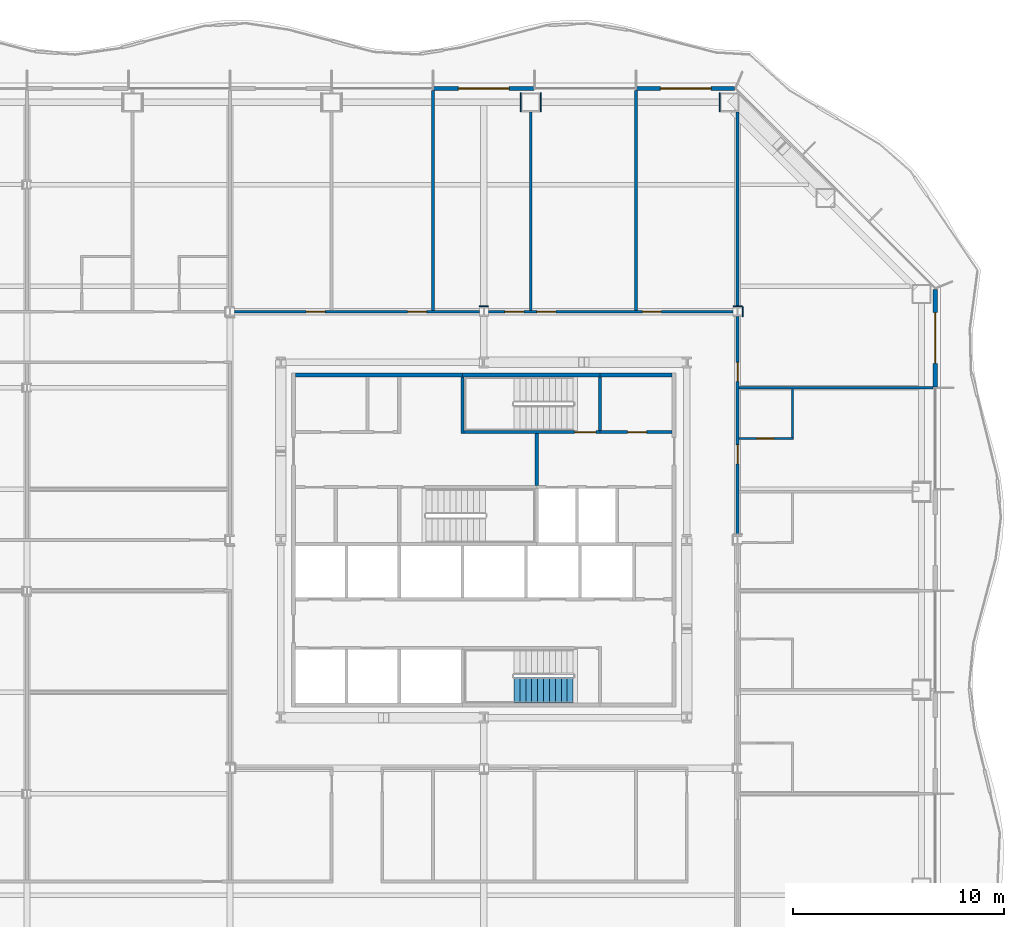
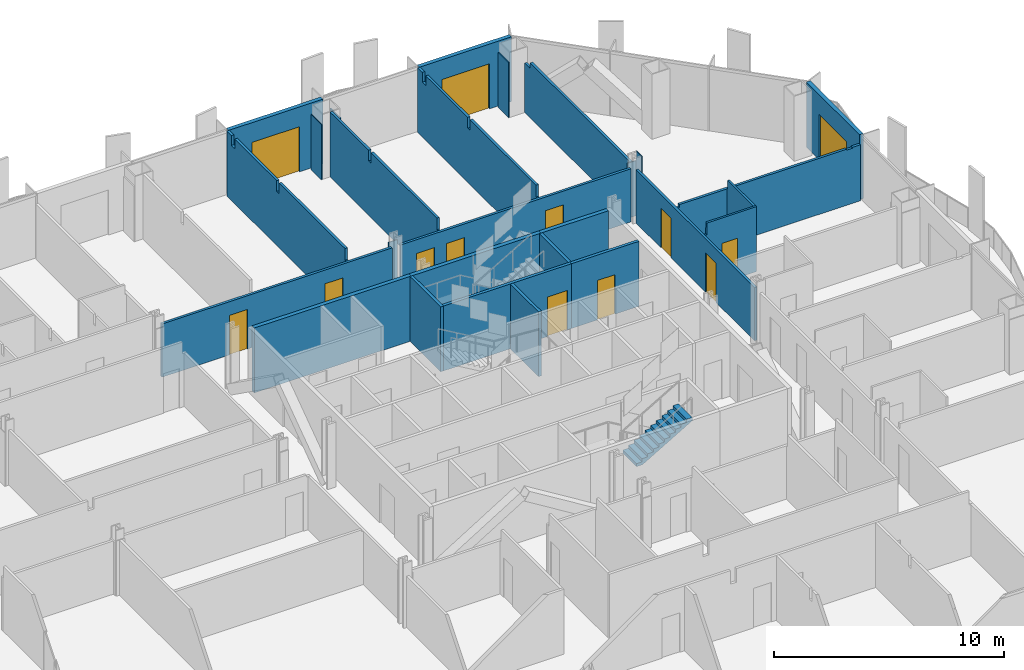
# One storey, part 13 of 21: 27 walls, 13 doors, 1 stair flight, 13 openings, 1 element without a shape of its own.
"""IFC4 building model written with IfcOpenShell, lengths in metres."""

import ifcopenshell
import ifcopenshell.guid

model = None  # the IFC model being written
_history = None  # IfcOwnerHistory: only IFC2X3 demands one
_inside = {}  # id of a spatial element -> (the spatial element, [elements in it])
_under = {}  # id of a project, library or spatial element -> (it, [spatial elements below it])
_declared = {}  # id of a project -> (the project, [libraries it declares])
_typed = {}  # id of a type object -> (the type object, [elements of that type])
_made_of = {}  # id of a material, layer set ... -> (it, [elements and type objects made of it])


def new_model(schema):
    """Start an empty IFC model of exactly this schema.

    Asked for "IFC4X3", IfcOpenShell would pick the latest addendum, in which some entities
    have other attributes; the version numbers below select the first issue.
    IFC2X3 requires an IfcOwnerHistory on every rooted entity: one is made here for all.
    """
    global model, _history
    if schema == "IFC4X3":
        model = ifcopenshell.file(schema_version=(4, 3, 0, 0))
    else:
        model = ifcopenshell.file(schema=schema)
    _inside.clear()
    _under.clear()
    _declared.clear()
    _typed.clear()
    _made_of.clear()
    _history = None
    if model.schema == "IFC2X3":
        org = make("IfcOrganization", Name="unknown")
        user = make(
            "IfcPersonAndOrganization",
            ThePerson=make("IfcPerson", FamilyName="unknown"),
            TheOrganization=org,
        )
        app = make(
            "IfcApplication",
            ApplicationDeveloper=org,
            Version="unknown",
            ApplicationFullName="unknown",
            ApplicationIdentifier="unknown",
        )
        _history = make(
            "IfcOwnerHistory",
            OwningUser=user,
            OwningApplication=app,
            ChangeAction="ADDED",
            CreationDate=0,
        )
    return model


def make(cls, **values):
    """One entity of the class cls with the attributes given. An attribute that is None is left unset."""
    return model.create_entity(
        cls, **{name: value for name, value in values.items() if value is not None}
    )


def rooted(cls, **values):
    """An entity with a GlobalId (a new one), such as an element, a storey or a relation."""
    return make(cls, GlobalId=ifcopenshell.guid.new(), OwnerHistory=_history, **values)


def si_unit(unit_type, name, prefix=None):
    """IfcSIUnit, for example si_unit("LENGTHUNIT", "METRE", prefix="MILLI")."""
    return make("IfcSIUnit", UnitType=unit_type, Prefix=prefix, Name=name)


def assignment(units):
    """IfcUnitAssignment: the units of a project."""
    return None if units is None else make("IfcUnitAssignment", Units=units)


def point(xyz):
    """IfcCartesianPoint."""
    return None if xyz is None else make("IfcCartesianPoint", Coordinates=xyz)


def direction(xyz):
    """IfcDirection."""
    return None if xyz is None else make("IfcDirection", DirectionRatios=xyz)


def frame(location, z_axis=None, x_axis=None):
    """IfcAxis2Placement3D, a coordinate frame: its origin and axes. An axis left out is left unset."""
    return make(
        "IfcAxis2Placement3D",
        Location=point(location),
        Axis=direction(z_axis),
        RefDirection=direction(x_axis),
    )


def frame_2d(location, x_axis=None):
    """IfcAxis2Placement2D, a coordinate frame in the plane: its origin and x axis."""
    return make(
        "IfcAxis2Placement2D", Location=point(location), RefDirection=direction(x_axis)
    )


def origin():
    """The frame at (0, 0, 0) with its axes left unset."""
    return frame((0.0, 0.0, 0.0))


def place(relative_to, where):
    """IfcLocalPlacement: puts the frame where relative to a parent placement (None: the world)."""
    return make(
        "IfcLocalPlacement", PlacementRelTo=relative_to, RelativePlacement=where
    )


def context(
    kind, dimensions, precision=None, world=None, true_north=None, identifier=None
):
    """IfcGeometricRepresentationContext, for example the 3D "Model" context."""
    return make(
        "IfcGeometricRepresentationContext",
        ContextIdentifier=identifier,
        ContextType=kind,
        CoordinateSpaceDimension=dimensions,
        Precision=precision,
        WorldCoordinateSystem=world,
        TrueNorth=true_north,
    )


def subcontext(parent, identifier, kind, view, scale=None):
    """IfcGeometricRepresentationSubContext, for example "Body" below "Model"."""
    return make(
        "IfcGeometricRepresentationSubContext",
        ContextIdentifier=identifier,
        ContextType=kind,
        ParentContext=parent,
        TargetScale=scale,
        TargetView=view,
    )


def project(units=None, contexts=None):
    """IfcProject with its units and contexts."""
    return rooted(
        "IfcProject",
        Name="project",
        RepresentationContexts=contexts,
        UnitsInContext=assignment(units),
    )


def spatial(cls, under=None, at=None, **own):
    """A site, building, storey or space (cls), placed at a placement, below another one or the project."""
    s = rooted(cls, ObjectPlacement=at, **own)
    if under is not None:
        _under.setdefault(under.id(), (under, []))[1].append(s)
    return s


def polyline(points):
    """IfcPolyline through the points."""
    return make("IfcPolyline", Points=[point(p) for p in points])


def profile(cls, at=None, kind="AREA", **sizes):
    """A parametric profile (cls). Its sizes go by their IFC names, for example OverallWidth=200.0."""
    return make(cls, ProfileType=kind, Position=at, **sizes)


def rectangle(**sizes):
    """IfcRectangleProfileDef."""
    return profile("IfcRectangleProfileDef", **sizes)


def outline(outer, holes=None, kind="AREA"):
    """IfcArbitraryClosedProfileDef: a profile drawn as a closed curve; with holes, ...WithVoids."""
    if holes is None:
        return make("IfcArbitraryClosedProfileDef", ProfileType=kind, OuterCurve=outer)
    return make(
        "IfcArbitraryProfileDefWithVoids",
        ProfileType=kind,
        OuterCurve=outer,
        InnerCurves=holes,
    )


def extrude(swept, where, along, depth):
    """IfcExtrudedAreaSolid: the profile swept, set in the frame where, extruded along a direction by depth."""
    return make(
        "IfcExtrudedAreaSolid",
        SweptArea=swept,
        Position=where,
        ExtrudedDirection=direction(along),
        Depth=depth,
    )


def shape(context_of_items, identifier, shape_type, items):
    """IfcShapeRepresentation: the items that make up one representation, for example the "Body"."""
    return make(
        "IfcShapeRepresentation",
        ContextOfItems=context_of_items,
        RepresentationIdentifier=identifier,
        RepresentationType=shape_type,
        Items=items,
    )


def material(Name=None, Category=None):
    """IfcMaterial."""
    return make("IfcMaterial", Name=Name, Category=Category)


def layer(
    of_material, thickness, ventilated=None, Name=None, Category=None, Priority=None
):
    """IfcMaterialLayer: one layer of a wall or slab, of a material (None: an air gap)."""
    return make(
        "IfcMaterialLayer",
        Material=of_material,
        LayerThickness=thickness,
        IsVentilated=ventilated,
        Name=Name,
        Category=Category,
        Priority=Priority,
    )


def layer_set(layers, Name=None):
    """IfcMaterialLayerSet."""
    return make("IfcMaterialLayerSet", MaterialLayers=layers, LayerSetName=Name)


def made_of(thing, what):
    """Note that an element or type object is made of a material, layer set ...; save() writes the relation."""
    if what is not None:
        _made_of.setdefault(what.id(), (what, []))[1].append(thing)
    return thing


def type_object(cls, material=None, **own):
    """A type object (cls), such as IfcWallType, which elements share."""
    return made_of(rooted(cls, **own), material)


def element(
    cls,
    number,
    at=None,
    inside=None,
    cuts=None,
    type_object=None,
    material=None,
    context=None,
    identifier="Body",
    shape_type=None,
    held_by="IfcProductDefinitionShape",
    body=None,
    shapes=None,
    **own,
):
    """One element of the class cls, such as IfcWall. Its Tag is "e" and its number.

    at: its placement. inside: the storey or other place that contains it. cuts: it is an
    opening in that element (IfcRelVoidsElement). A single representation is given by context,
    identifier, shape_type and body (its items); several are given by shapes. held_by: the class
    of the entity that holds the representations. save() writes the other relations.
    """
    e = rooted(cls, Tag="e%d" % number, ObjectPlacement=at, **own)
    if body is not None:
        shapes = [shape(context, identifier, shape_type, body)]
    if shapes is not None:
        e.Representation = make(held_by, Representations=shapes)
    if inside is not None:
        _inside.setdefault(inside.id(), (inside, []))[1].append(e)
    if cuts is not None:
        rooted(
            "IfcRelVoidsElement", RelatingBuildingElement=cuts, RelatedOpeningElement=e
        )
    if type_object is not None:
        _typed.setdefault(type_object.id(), (type_object, []))[1].append(e)
    return made_of(e, material)


def fill(opening, filler):
    """IfcRelFillsElement: the door or window that sits in an opening."""
    return rooted(
        "IfcRelFillsElement",
        RelatingOpeningElement=opening,
        RelatedBuildingElement=filler,
    )


def aggregate(whole, parts):
    """IfcRelAggregates: a whole, such as a stair, and the parts it consists of."""
    return rooted("IfcRelAggregates", RelatingObject=whole, RelatedObjects=parts)


def save(model, path):
    """Write the relations noted so far, then the file.

    IfcRelAggregates (storeys below a building ...), IfcRelContainedInSpatialStructure (elements
    in a storey), IfcRelDefinesByType, IfcRelAssociatesMaterial and IfcRelDeclares: one each for
    every whole, place, type object, material and project.
    """
    for whole, parts in _under.values():
        aggregate(whole, parts)
    for where, things in _inside.values():
        rooted(
            "IfcRelContainedInSpatialStructure",
            RelatedElements=things,
            RelatingStructure=where,
        )
    for kind, things in _typed.values():
        rooted("IfcRelDefinesByType", RelatedObjects=things, RelatingType=kind)
    for what, things in _made_of.values():
        rooted("IfcRelAssociatesMaterial", RelatedObjects=things, RelatingMaterial=what)
    for by, libraries in _declared.values():
        rooted("IfcRelDeclares", RelatingContext=by, RelatedDefinitions=libraries)
    model.write(path)


model = new_model("IFC4")

# Units and contexts
model_context = context("Model", 3, precision=1e-05, world=origin(), true_north=direction((0.0, 1.0)))
body_context = subcontext(model_context, "Body", "Model", "MODEL_VIEW")
ifc_project = project(units=[si_unit("LENGTHUNIT", "METRE"), si_unit("AREAUNIT", "SQUARE_METRE"), si_unit("VOLUMEUNIT", "CUBIC_METRE"), si_unit("PLANEANGLEUNIT", "RADIAN"), si_unit("MASSUNIT", "GRAM", prefix="KILO")], contexts=[model_context])

# Site, building, storey
site_placement = place(None, origin())
site = spatial("IfcSite", under=ifc_project, at=site_placement, CompositionType="ELEMENT")
building_placement = place(site_placement, origin())
building = spatial("IfcBuilding", under=site, at=building_placement, Name="Cairn Pilgrim Tower", CompositionType="ELEMENT")
storey_placement = place(building_placement, frame((0.0, 0.0, 69.0)))
storey = spatial("IfcBuildingStorey", under=building, at=storey_placement, Name="L15", CompositionType="ELEMENT", Elevation=69.0)

# Wall, opening, door
ifc_material_1 = material(Name="Bronze anodised aluminium insulated sandwich panel with mineral wool fill", Category="aluminium")
ifc_layer_1 = layer(ifc_material_1, 0.199951171875)
ifc_layer_set_1 = layer_set([ifc_layer_1], Name="BRONZE INFILL FRAME WALL 200")
wall_type_1 = type_object("IfcWallType", Name="BRONZE INFILL FRAME WALL 200", PredefinedType="NOTDEFINED", material=ifc_layer_set_1)
wall_1_placement = place(storey_placement, frame((28.550048828125, 9.6298828125, 0.0), z_axis=(0.0, 0.0, 1.0), x_axis=(0.0, 1.0, 0.0)))
wall_1 = element("IfcWall", 1, at=wall_1_placement, inside=storey, type_object=wall_type_1, Name="Bronze infill frame wall IW-E6", PredefinedType="NOTDEFINED", context=body_context, shape_type="SweptSolid", body=[
    extrude(rectangle(XDim=4.62646484375, YDim=0.199951171875, at=frame_2d((2.313232421875, 0.0))), origin(), (0.0, 0.0, 1.0), 3.449951171875),
])
opening_1_placement = place(wall_1_placement, frame((1.117919921875, 0.0, 0.0)))
opening_1 = element("IfcOpeningElement", 2, at=opening_1_placement, cuts=wall_1, Name="Opening 1528B", PredefinedType="OPENING", context=body_context, shape_type="SweptSolid", body=[
    extrude(rectangle(XDim=2.39990234375, YDim=2.39990234375, at=frame_2d((1.199951171875, 1.199951171875))), frame((0.0, 0.10986328125, 0.0), z_axis=(0.0, -1.0, 0.0), x_axis=(1.0, 0.0, 0.0)), (0.0, 0.0, 1.0), 0.219970703125),
])
ifc_material_2 = material(Name="Bronze anodised aluminium frame with tinted low-E glass", Category="aluminium")
door_type_1 = type_object("IfcDoorType", Name="BALCONY SLIDING DOOR 2400x2400", OperationType="DOUBLE_DOOR_SLIDING", PredefinedType="DOOR", material=ifc_material_2)
door_1_placement = place(opening_1_placement, origin())
door_1 = element("IfcDoor", 3, at=door_1_placement, inside=storey, type_object=door_type_1, Name="Balcony sliding door 1528B", OperationType="SINGLE_SWING_LEFT", OverallHeight=2.39990234375, OverallWidth=2.39990234375, PredefinedType="DOOR", context=body_context, shape_type="SweptSolid", body=[
    extrude(rectangle(XDim=2.39990234375, YDim=2.39990234375, at=frame_2d((1.199951171875, 1.199951171875))), frame((0.0, 0.02490234375, 0.0), z_axis=(0.0, -1.0, 0.0), x_axis=(1.0, 0.0, 0.0)), (0.0, 0.0, 1.0), 0.050048828125),
])
fill(opening_1, door_1)

wall_2_placement = place(storey_placement, frame((19.056396484375, 23.75, 0.0), z_axis=(0.0, 0.0, 1.0), x_axis=(-1.0, 0.0, 0.0)))
wall_2 = element("IfcWall", 4, at=wall_2_placement, inside=storey, type_object=wall_type_1, Name="Bronze infill frame wall IW-N1", PredefinedType="NOTDEFINED", context=body_context, shape_type="SweptSolid", body=[
    extrude(rectangle(XDim=4.62646484375, YDim=0.199951171875, at=frame_2d((2.313232421875, 0.0))), origin(), (0.0, 0.0, 1.0), 3.449951171875),
])
opening_2_placement = place(wall_2_placement, frame((1.108154296875, 0.0, 0.0)))
opening_2 = element("IfcOpeningElement", 5, at=opening_2_placement, cuts=wall_2, Name="Opening 1522B", PredefinedType="OPENING", context=body_context, shape_type="SweptSolid", body=[
    extrude(rectangle(XDim=2.39990234375, YDim=2.39990234375, at=frame_2d((1.199951171875, 1.199951171875))), frame((0.0, 0.10986328125, 0.0), z_axis=(0.0, -1.0, 0.0), x_axis=(1.0, 0.0, 0.0)), (0.0, 0.0, 1.0), 0.219970703125),
])
door_2_placement = place(opening_2_placement, origin())
door_2 = element("IfcDoor", 6, at=door_2_placement, inside=storey, type_object=door_type_1, Name="Balcony sliding door 1522B", OperationType="SINGLE_SWING_LEFT", OverallHeight=2.39990234375, OverallWidth=2.39990234375, PredefinedType="DOOR", context=body_context, shape_type="SweptSolid", body=[
    extrude(rectangle(XDim=2.39990234375, YDim=2.39990234375, at=frame_2d((1.199951171875, 1.199951171875))), frame((0.0, 0.02490234375, 0.0), z_axis=(0.0, -1.0, 0.0), x_axis=(1.0, 0.0, 0.0)), (0.0, 0.0, 1.0), 0.050048828125),
])
fill(opening_2, door_2)

wall_3_placement = place(storey_placement, frame((9.570068359375, 23.75, 0.0), z_axis=(0.0, 0.0, 1.0), x_axis=(-1.0, 0.0, 0.0)))
wall_3 = element("IfcWall", 7, at=wall_3_placement, inside=storey, type_object=wall_type_1, Name="Bronze infill frame wall IW-N3", PredefinedType="NOTDEFINED", context=body_context, shape_type="SweptSolid", body=[
    extrude(rectangle(XDim=4.739990234375, YDim=0.199951171875, at=frame_2d((2.3701171875, 0.0))), origin(), (0.0, 0.0, 1.0), 3.449951171875),
])
opening_3_placement = place(wall_3_placement, frame((1.169921875, 0.0, 0.0)))
opening_3 = element("IfcOpeningElement", 8, at=opening_3_placement, cuts=wall_3, Name="Opening 1520B", PredefinedType="OPENING", context=body_context, shape_type="SweptSolid", body=[
    extrude(rectangle(XDim=2.39990234375, YDim=2.39990234375, at=frame_2d((1.199951171875, 1.199951171875))), frame((0.0, 0.10986328125, 0.0), z_axis=(0.0, -1.0, 0.0), x_axis=(1.0, 0.0, 0.0)), (0.0, 0.0, 1.0), 0.219970703125),
])
door_3_placement = place(opening_3_placement, origin())
door_3 = element("IfcDoor", 9, at=door_3_placement, inside=storey, type_object=door_type_1, Name="Balcony sliding door 1520B", OperationType="SINGLE_SWING_LEFT", OverallHeight=2.39990234375, OverallWidth=2.39990234375, PredefinedType="DOOR", context=body_context, shape_type="SweptSolid", body=[
    extrude(rectangle(XDim=2.39990234375, YDim=2.39990234375, at=frame_2d((1.199951171875, 1.199951171875))), frame((0.0, 0.02490234375, 0.0), z_axis=(0.0, -1.0, 0.0), x_axis=(1.0, 0.0, 0.0)), (0.0, 0.0, 1.0), 0.050048828125),
])
fill(opening_3, door_3)

# Walls
ifc_material_3 = material(Name="Concrete C32/40", Category="concrete")
ifc_layer_2 = layer(ifc_material_3, 0.199951171875)
ifc_layer_set_2 = layer_set([ifc_layer_2], Name="CORE OUTER WALL 200 EI 120")
wall_type_2 = type_object("IfcWallType", Name="CORE OUTER WALL 200 EI 120", PredefinedType="SOLIDWALL", material=ifc_layer_set_2)
wall_4_placement = place(storey_placement, frame((-1.699951171875, 10.199951171875, 0.0), z_axis=(0.0, 0.0, 1.0), x_axis=(1.0, 0.0, 0.0)))
element("IfcWall", 10, at=wall_4_placement, inside=storey, type_object=wall_type_2, Name="CW:L15:H11-1", PredefinedType="SOLIDWALL", context=body_context, shape_type="SweptSolid", body=[
    extrude(rectangle(XDim=7.89990234375, YDim=0.199951171875, at=frame_2d((3.949951171875, 0.0))), origin(), (0.0, 0.0, 1.0), 3.449951171875),
])
wall_5_placement = place(storey_placement, frame((12.699951171875, 10.199951171875, 0.0), z_axis=(0.0, 0.0, 1.0), x_axis=(1.0, 0.0, 0.0)))
element("IfcWall", 11, at=wall_5_placement, inside=storey, type_object=wall_type_2, Name="CW:L15:H11-3", PredefinedType="SOLIDWALL", context=body_context, shape_type="SweptSolid", body=[
    extrude(rectangle(XDim=3.400146484375, YDim=0.199951171875, at=frame_2d((1.7001953125, 0.0))), origin(), (0.0, 0.0, 1.0), 3.449951171875),
])

# Wall, opening, door
ifc_layer_3 = layer(ifc_material_3, 0.14990234375)
ifc_layer_set_3 = layer_set([ifc_layer_3], Name="CORE SHAFT WALL 150 EI 120")
wall_type_3 = type_object("IfcWallType", Name="CORE SHAFT WALL 150 EI 120", PredefinedType="SOLIDWALL", material=ifc_layer_set_3)
wall_6_placement = place(storey_placement, frame((12.699951171875, 7.5, 0.0), z_axis=(0.0, 0.0, 1.0), x_axis=(1.0, 0.0, 0.0)))
wall_6 = element("IfcWall", 12, at=wall_6_placement, inside=storey, type_object=wall_type_3, Name="CW:L15:H10-2", PredefinedType="SOLIDWALL", context=body_context, shape_type="SweptSolid", body=[
    extrude(rectangle(XDim=3.400146484375, YDim=0.14990234375, at=frame_2d((1.7001953125, 0.0))), origin(), (0.0, 0.0, 1.0), 3.449951171875),
])
opening_4_placement = place(wall_6_placement, frame((1.300048828125, 0.0, 0.0)))
opening_4 = element("IfcOpeningElement", 13, at=opening_4_placement, cuts=wall_6, Name="Opening RD-R4E", PredefinedType="OPENING", context=body_context, shape_type="SweptSolid", body=[
    extrude(rectangle(XDim=0.89990234375, YDim=2.10009765625, at=frame_2d((0.449951171875, 1.050048828125))), frame((0.0, 0.0849609375, 0.0), z_axis=(0.0, -1.0, 0.0), x_axis=(1.0, 0.0, 0.0)), (0.0, 0.0, 1.0), 0.169921875),
])
ifc_material_4 = material(Name="Painted steel", Category="steel")
door_type_2 = type_object("IfcDoorType", Name="SERVICE ROOM DOOR 900x2100", OperationType="SINGLE_SWING_LEFT", PredefinedType="DOOR", material=ifc_material_4)
door_4_placement = place(opening_4_placement, origin())
door_4 = element("IfcDoor", 14, at=door_4_placement, inside=storey, type_object=door_type_2, Name="RD-R4E", OperationType="SINGLE_SWING_RIGHT", OverallHeight=2.10009765625, OverallWidth=0.89990234375, PredefinedType="DOOR", context=body_context, shape_type="SweptSolid", body=[
    extrude(rectangle(XDim=0.89990234375, YDim=2.10009765625, at=frame_2d((0.449951171875, 1.050048828125))), frame((0.0, 0.02490234375, 0.0), z_axis=(0.0, -1.0, 0.0), x_axis=(1.0, 0.0, 0.0)), (0.0, 0.0, 1.0), 0.050048828125),
])
fill(opening_4, door_4)

# Wall
wall_7_placement = place(storey_placement, frame((9.699951171875, 4.97509765625, 0.0), z_axis=(0.0, 0.0, 1.0), x_axis=(0.0, 1.0, 0.0)))
element("IfcWall", 15, at=wall_7_placement, inside=storey, type_object=wall_type_3, Name="CW:L15:V26", PredefinedType="SOLIDWALL", context=body_context, shape_type="SweptSolid", body=[
    extrude(rectangle(XDim=2.449951171875, YDim=0.14990234375, at=frame_2d((1.22509765625, 0.0))), origin(), (0.0, 0.0, 1.0), 3.449951171875),
])

# Wall, opening, door
ifc_material_5 = material(Name="Gypsum partition")
ifc_layer_4 = layer(ifc_material_5, 0.10009765625)
ifc_layer_set_4 = layer_set([ifc_layer_4], Name="PARTITION 100 DRYWALL")
wall_type_4 = type_object("IfcWallType", Name="PARTITION 100 DRYWALL", PredefinedType="PARTITIONING", material=ifc_layer_set_4)
wall_8_placement = place(storey_placement, frame((19.262451171875, 7.199951171875, 0.0), z_axis=(0.0, 0.0, 1.0), x_axis=(1.0, 0.0, 0.0)))
wall_8 = element("IfcWall", 16, at=wall_8_placement, inside=storey, type_object=wall_type_4, Name="PARTITION W057", PredefinedType="PARTITIONING", context=body_context, shape_type="SweptSolid", body=[
    extrude(outline(polyline([(0.0, 0.0), (2.587646484375, 0.0), (2.58740234375, 3.449951171875), (0.08740234375, 3.449951171875), (0.08544921875, 2.830078125), (0.0, 2.830078125), (0.0, 0.0)])), frame((0.0, 0.050048828125, 0.0), z_axis=(0.0, -1.0, 0.0), x_axis=(1.0, 0.0, 0.0)), (0.0, 0.0, 1.0), 0.10009765625),
])
opening_5_placement = place(wall_8_placement, frame((0.83740234375, 0.0, 0.0)))
opening_5 = element("IfcOpeningElement", 17, at=opening_5_placement, cuts=wall_8, Name="Opening 1527E", PredefinedType="OPENING", context=body_context, shape_type="SweptSolid", body=[
    extrude(rectangle(XDim=0.800048828125, YDim=2.10009765625, at=frame_2d((0.39990234375, 1.050048828125))), frame((0.0, 0.06005859375, 0.0), z_axis=(0.0, -1.0, 0.0), x_axis=(1.0, 0.0, 0.0)), (0.0, 0.0, 1.0), 0.1201171875),
])
ifc_material_6 = material(Name="Timber door leaf", Category="wood")
door_type_3 = type_object("IfcDoorType", Name="DOOR 800x2100", OperationType="NOTDEFINED", PredefinedType="DOOR", material=ifc_material_6)
door_5_placement = place(opening_5_placement, origin())
door_5 = element("IfcDoor", 18, at=door_5_placement, inside=storey, type_object=door_type_3, Name="DOOR 1527E", OperationType="SINGLE_SWING_RIGHT", OverallHeight=2.10009765625, OverallWidth=0.800048828125, PredefinedType="DOOR", context=body_context, shape_type="SweptSolid", body=[
    extrude(rectangle(XDim=0.800048828125, YDim=2.10009765625, at=frame_2d((0.39990234375, 1.050048828125))), frame((0.0, 0.02490234375, 0.0), z_axis=(0.0, -1.0, 0.0), x_axis=(1.0, 0.0, 0.0)), (0.0, 0.0, 1.0), 0.050048828125),
])
fill(opening_5, door_5)

# Wall
wall_9_placement = place(storey_placement, frame((21.800048828125, 7.25, 0.0), z_axis=(0.0, 0.0, 1.0), x_axis=(0.0, 1.0, 0.0)))
element("IfcWall", 19, at=wall_9_placement, inside=storey, type_object=wall_type_4, Name="PARTITION W058", PredefinedType="PARTITIONING", context=body_context, shape_type="SweptSolid", body=[
    extrude(outline(polyline([(0.0, 0.0), (2.28759765625, 0.0), (2.28759765625, 2.97998046875), (2.2548828125, 2.97998046875), (2.2529296875, 3.449951171875), (0.0, 3.449951171875), (0.0, 0.0)])), frame((0.0, 0.050048828125, 0.0), z_axis=(0.0, -1.0, 0.0), x_axis=(1.0, 0.0, 0.0)), (0.0, 0.0, 1.0), 0.10009765625),
])

# Wall, openings, doors
ifc_layer_5 = layer(ifc_material_5, 0.125)
ifc_layer_set_5 = layer_set([ifc_layer_5], Name="PARTITION 125 DRYWALL EI 60")
wall_type_5 = type_object("IfcWallType", Name="PARTITION 125 DRYWALL EI 60", PredefinedType="PARTITIONING", material=ifc_layer_set_5)
wall_10_placement = place(storey_placement, frame((19.199951171875, 2.636962890625, 0.0), z_axis=(0.0, 0.0, 1.0), x_axis=(0.0, 1.0, 0.0)))
wall_10 = element("IfcWall", 20, at=wall_10_placement, inside=storey, type_object=wall_type_5, Name="PARTITION W053", PredefinedType="PARTITIONING", context=body_context, shape_type="SweptSolid", body=[
    extrude(rectangle(XDim=10.325927734375, YDim=0.125, at=frame_2d((5.1630859375, 0.0))), origin(), (0.0, 0.0, 1.0), 2.830078125),
])
opening_6_placement = place(wall_10_placement, frame((3.363037109375, 0.0, 0.0)))
opening_6 = element("IfcOpeningElement", 21, at=opening_6_placement, cuts=wall_10, Name="Opening 1527", PredefinedType="OPENING", context=body_context, shape_type="SweptSolid", body=[
    extrude(rectangle(XDim=0.89990234375, YDim=2.10009765625, at=frame_2d((0.449951171875, 1.050048828125))), frame((0.0, 0.072509765625, 0.0), z_axis=(0.0, -1.0, 0.0), x_axis=(1.0, 0.0, 0.0)), (0.0, 0.0, 1.0), 0.14501953125),
])
opening_7_placement = place(wall_10_placement, frame((7.262939453125, 0.0, 0.0)))
opening_7 = element("IfcOpeningElement", 22, at=opening_7_placement, cuts=wall_10, Name="Opening 1528", PredefinedType="OPENING", context=body_context, shape_type="SweptSolid", body=[
    extrude(rectangle(XDim=0.89990234375, YDim=2.10009765625, at=frame_2d((0.449951171875, 1.050048828125))), frame((0.0, 0.072509765625, 0.0), z_axis=(0.0, -1.0, 0.0), x_axis=(1.0, 0.0, 0.0)), (0.0, 0.0, 1.0), 0.14501953125),
])
ifc_material_7 = material(Name="Steel-faced fire door leaf", Category="steel")
door_type_4 = type_object("IfcDoorType", Name="FIRE DOOR 900x2100 FD30S", OperationType="NOTDEFINED", PredefinedType="DOOR", material=ifc_material_7)
door_6_placement = place(opening_6_placement, frame((0.89990234375, 0.0, 0.0), z_axis=(0.0, 0.0, 1.0), x_axis=(-1.0, 0.0, 0.0)))
door_6 = element("IfcDoor", 23, at=door_6_placement, inside=storey, type_object=door_type_4, Name="DOOR 1527", OperationType="SINGLE_SWING_LEFT", OverallHeight=2.10009765625, OverallWidth=0.89990234375, PredefinedType="DOOR", context=body_context, shape_type="SweptSolid", body=[
    extrude(rectangle(XDim=0.89990234375, YDim=2.10009765625, at=frame_2d((0.449951171875, 1.050048828125))), frame((0.0, 0.02490234375, 0.0), z_axis=(0.0, -1.0, 0.0), x_axis=(1.0, 0.0, 0.0)), (0.0, 0.0, 1.0), 0.050048828125),
])
fill(opening_6, door_6)
door_7_placement = place(opening_7_placement, frame((0.89990234375, 0.0, 0.0), z_axis=(0.0, 0.0, 1.0), x_axis=(-1.0, 0.0, 0.0)))
door_7 = element("IfcDoor", 24, at=door_7_placement, inside=storey, type_object=door_type_4, Name="DOOR 1528", OperationType="SINGLE_SWING_LEFT", OverallHeight=2.10009765625, OverallWidth=0.89990234375, PredefinedType="DOOR", context=body_context, shape_type="SweptSolid", body=[
    extrude(rectangle(XDim=0.89990234375, YDim=2.10009765625, at=frame_2d((0.449951171875, 1.050048828125))), frame((0.0, 0.02490234375, 0.0), z_axis=(0.0, -1.0, 0.0), x_axis=(1.0, 0.0, 0.0)), (0.0, 0.0, 1.0), 0.050048828125),
])
fill(opening_7, door_7)

# Wall
wall_11_placement = place(storey_placement, frame((19.262451171875, 9.60009765625, 0.0), z_axis=(0.0, 0.0, 1.0), x_axis=(1.0, 0.0, 0.0)))
element("IfcWall", 25, at=wall_11_placement, inside=storey, type_object=wall_type_5, Name="PARTITION W060", PredefinedType="PARTITIONING", context=body_context, shape_type="SweptSolid", body=[
    extrude(outline(polyline([(0.0, 0.0), (9.1875, 0.0), (9.1875, 2.97998046875), (8.78759765625, 2.97998046875), (8.785400390625, 2.929931640625), (8.487548828125, 2.929931640625), (8.485595703125, 2.97998046875), (0.08740234375, 2.97998046875), (0.08544921875, 2.830078125), (0.0, 2.830078125), (0.0, 0.0)])), frame((0.0, 0.0625, 0.0), z_axis=(0.0, -1.0, 0.0), x_axis=(1.0, 0.0, 0.0)), (0.0, 0.0, 1.0), 0.125),
])

# Wall, openings, doors
wall_12_placement = place(storey_placement, frame((-4.587890625, 13.199951171875, 0.0), z_axis=(0.0, 0.0, 1.0), x_axis=(1.0, 0.0, 0.0)))
wall_12 = element("IfcWall", 26, at=wall_12_placement, inside=storey, type_object=wall_type_5, Name="PARTITION W064", PredefinedType="PARTITIONING", context=body_context, shape_type="SweptSolid", body=[
    extrude(rectangle(XDim=11.575927734375, YDim=0.125, at=frame_2d((5.7880859375, 0.0))), origin(), (0.0, 0.0, 1.0), 2.830078125),
])
opening_8_placement = place(wall_12_placement, frame((3.387939453125, 0.0, 0.0)))
opening_8 = element("IfcOpeningElement", 27, at=opening_8_placement, cuts=wall_12, Name="Opening 1518", PredefinedType="OPENING", context=body_context, shape_type="SweptSolid", body=[
    extrude(rectangle(XDim=0.89990234375, YDim=2.10009765625, at=frame_2d((0.449951171875, 1.050048828125))), frame((0.0, 0.072509765625, 0.0), z_axis=(0.0, -1.0, 0.0), x_axis=(1.0, 0.0, 0.0)), (0.0, 0.0, 1.0), 0.14501953125),
])
opening_9_placement = place(wall_12_placement, frame((8.18798828125, 0.0, 0.0)))
opening_9 = element("IfcOpeningElement", 28, at=opening_9_placement, cuts=wall_12, Name="Opening 1519", PredefinedType="OPENING", context=body_context, shape_type="SweptSolid", body=[
    extrude(rectangle(XDim=0.89990234375, YDim=2.10009765625, at=frame_2d((0.449951171875, 1.050048828125))), frame((0.0, 0.072509765625, 0.0), z_axis=(0.0, -1.0, 0.0), x_axis=(1.0, 0.0, 0.0)), (0.0, 0.0, 1.0), 0.14501953125),
])
door_8_placement = place(opening_8_placement, origin())
door_8 = element("IfcDoor", 29, at=door_8_placement, inside=storey, type_object=door_type_4, Name="DOOR 1518", OperationType="SINGLE_SWING_LEFT", OverallHeight=2.10009765625, OverallWidth=0.89990234375, PredefinedType="DOOR", context=body_context, shape_type="SweptSolid", body=[
    extrude(rectangle(XDim=0.89990234375, YDim=2.10009765625, at=frame_2d((0.449951171875, 1.050048828125))), frame((0.0, 0.02490234375, 0.0), z_axis=(0.0, -1.0, 0.0), x_axis=(1.0, 0.0, 0.0)), (0.0, 0.0, 1.0), 0.050048828125),
])
fill(opening_8, door_8)
door_9_placement = place(opening_9_placement, origin())
door_9 = element("IfcDoor", 30, at=door_9_placement, inside=storey, type_object=door_type_4, Name="DOOR 1519", OperationType="SINGLE_SWING_RIGHT", OverallHeight=2.10009765625, OverallWidth=0.89990234375, PredefinedType="DOOR", context=body_context, shape_type="SweptSolid", body=[
    extrude(rectangle(XDim=0.89990234375, YDim=2.10009765625, at=frame_2d((0.449951171875, 1.050048828125))), frame((0.0, 0.02490234375, 0.0), z_axis=(0.0, -1.0, 0.0), x_axis=(1.0, 0.0, 0.0)), (0.0, 0.0, 1.0), 0.050048828125),
])
fill(opening_9, door_9)

wall_13_placement = place(storey_placement, frame((7.412109375, 13.199951171875, 0.0), z_axis=(0.0, 0.0, 1.0), x_axis=(1.0, 0.0, 0.0)))
wall_13 = element("IfcWall", 31, at=wall_13_placement, inside=storey, type_object=wall_type_5, Name="PARTITION W065", PredefinedType="PARTITIONING", context=body_context, shape_type="SweptSolid", body=[
    extrude(rectangle(XDim=11.575927734375, YDim=0.125, at=frame_2d((5.7880859375, 0.0))), origin(), (0.0, 0.0, 1.0), 2.830078125),
])
opening_10_placement = place(wall_13_placement, frame((0.7880859375, 0.0, 0.0)))
opening_10 = element("IfcOpeningElement", 32, at=opening_10_placement, cuts=wall_13, Name="Opening 1520", PredefinedType="OPENING", context=body_context, shape_type="SweptSolid", body=[
    extrude(rectangle(XDim=0.89990234375, YDim=2.10009765625, at=frame_2d((0.449951171875, 1.050048828125))), frame((0.0, 0.072509765625, 0.0), z_axis=(0.0, -1.0, 0.0), x_axis=(1.0, 0.0, 0.0)), (0.0, 0.0, 1.0), 0.14501953125),
])
opening_11_placement = place(wall_13_placement, frame((2.302001953125, 0.0, 0.0)))
opening_11 = element("IfcOpeningElement", 33, at=opening_11_placement, cuts=wall_13, Name="Opening 1521", PredefinedType="OPENING", context=body_context, shape_type="SweptSolid", body=[
    extrude(rectangle(XDim=0.89990234375, YDim=2.10009765625, at=frame_2d((0.449951171875, 1.050048828125))), frame((0.0, 0.072509765625, 0.0), z_axis=(0.0, -1.0, 0.0), x_axis=(1.0, 0.0, 0.0)), (0.0, 0.0, 1.0), 0.14501953125),
])
opening_12_placement = place(wall_13_placement, frame((7.2880859375, 0.0, 0.0)))
opening_12 = element("IfcOpeningElement", 34, at=opening_12_placement, cuts=wall_13, Name="Opening 1522", PredefinedType="OPENING", context=body_context, shape_type="SweptSolid", body=[
    extrude(rectangle(XDim=0.89990234375, YDim=2.10009765625, at=frame_2d((0.449951171875, 1.050048828125))), frame((0.0, 0.072509765625, 0.0), z_axis=(0.0, -1.0, 0.0), x_axis=(1.0, 0.0, 0.0)), (0.0, 0.0, 1.0), 0.14501953125),
])
door_10_placement = place(opening_10_placement, origin())
door_10 = element("IfcDoor", 35, at=door_10_placement, inside=storey, type_object=door_type_4, Name="DOOR 1520", OperationType="SINGLE_SWING_LEFT", OverallHeight=2.10009765625, OverallWidth=0.89990234375, PredefinedType="DOOR", context=body_context, shape_type="SweptSolid", body=[
    extrude(rectangle(XDim=0.89990234375, YDim=2.10009765625, at=frame_2d((0.449951171875, 1.050048828125))), frame((0.0, 0.02490234375, 0.0), z_axis=(0.0, -1.0, 0.0), x_axis=(1.0, 0.0, 0.0)), (0.0, 0.0, 1.0), 0.050048828125),
])
fill(opening_10, door_10)
door_11_placement = place(opening_11_placement, origin())
door_11 = element("IfcDoor", 36, at=door_11_placement, inside=storey, type_object=door_type_4, Name="DOOR 1521", OperationType="SINGLE_SWING_RIGHT", OverallHeight=2.10009765625, OverallWidth=0.89990234375, PredefinedType="DOOR", context=body_context, shape_type="SweptSolid", body=[
    extrude(rectangle(XDim=0.89990234375, YDim=2.10009765625, at=frame_2d((0.449951171875, 1.050048828125))), frame((0.0, 0.02490234375, 0.0), z_axis=(0.0, -1.0, 0.0), x_axis=(1.0, 0.0, 0.0)), (0.0, 0.0, 1.0), 0.050048828125),
])
fill(opening_11, door_11)
door_12_placement = place(opening_12_placement, origin())
door_12 = element("IfcDoor", 37, at=door_12_placement, inside=storey, type_object=door_type_4, Name="DOOR 1522", OperationType="SINGLE_SWING_LEFT", OverallHeight=2.10009765625, OverallWidth=0.89990234375, PredefinedType="DOOR", context=body_context, shape_type="SweptSolid", body=[
    extrude(rectangle(XDim=0.89990234375, YDim=2.10009765625, at=frame_2d((0.449951171875, 1.050048828125))), frame((0.0, 0.02490234375, 0.0), z_axis=(0.0, -1.0, 0.0), x_axis=(1.0, 0.0, 0.0)), (0.0, 0.0, 1.0), 0.050048828125),
])
fill(opening_12, door_12)

# Walls
wall_14_placement = place(storey_placement, frame((4.800048828125, 13.262451171875, 0.0), z_axis=(0.0, 0.0, 1.0), x_axis=(0.0, 1.0, 0.0)))
element("IfcWall", 38, at=wall_14_placement, inside=storey, type_object=wall_type_5, Name="PARTITION W072", PredefinedType="PARTITIONING", context=body_context, shape_type="SweptSolid", body=[
    extrude(outline(polyline([(0.0, 0.0), (10.387451171875, 0.0), (10.387451171875, 3.449951171875), (9.987548828125, 3.449951171875), (9.985595703125, 2.929931640625), (9.6875, 2.929931640625), (9.685546875, 3.449951171875), (6.04248046875, 3.449951171875), (6.04052734375, 2.8798828125), (5.83251953125, 2.8798828125), (5.83056640625, 3.449951171875), (0.08740234375, 3.449951171875), (0.08544921875, 2.830078125), (0.0, 2.830078125), (0.0, 0.0)])), frame((0.0, 0.0625, 0.0), z_axis=(0.0, -1.0, 0.0), x_axis=(1.0, 0.0, 0.0)), (0.0, 0.0, 1.0), 0.125),
])
wall_15_placement = place(storey_placement, frame((9.4140625, 13.262451171875, 0.0), z_axis=(0.0, 0.0, 1.0), x_axis=(0.0, 1.0, 0.0)))
element("IfcWall", 39, at=wall_15_placement, inside=storey, type_object=wall_type_5, Name="PARTITION W073", PredefinedType="PARTITIONING", context=body_context, shape_type="SweptSolid", body=[
    extrude(outline(polyline([(0.0, 0.0), (9.387451171875, 0.0), (9.387451171875, 3.449951171875), (6.04248046875, 3.449951171875), (6.04052734375, 2.8798828125), (5.83251953125, 2.8798828125), (5.83056640625, 3.449951171875), (0.08740234375, 3.449951171875), (0.08544921875, 2.830078125), (0.0, 2.830078125), (0.0, 0.0)])), frame((0.0, 0.0625, 0.0), z_axis=(0.0, -1.0, 0.0), x_axis=(1.0, 0.0, 0.0)), (0.0, 0.0, 1.0), 0.125),
])
wall_16_placement = place(storey_placement, frame((14.39990234375, 13.262451171875, 0.0), z_axis=(0.0, 0.0, 1.0), x_axis=(0.0, 1.0, 0.0)))
element("IfcWall", 40, at=wall_16_placement, inside=storey, type_object=wall_type_5, Name="PARTITION W074", PredefinedType="PARTITIONING", context=body_context, shape_type="SweptSolid", body=[
    extrude(outline(polyline([(0.0, 0.0), (10.387451171875, 0.0), (10.387451171875, 3.449951171875), (9.987548828125, 3.449951171875), (9.985595703125, 2.929931640625), (9.6875, 2.929931640625), (9.685546875, 3.449951171875), (6.04248046875, 3.449951171875), (6.04052734375, 2.8798828125), (5.83251953125, 2.8798828125), (5.83056640625, 3.449951171875), (0.08740234375, 3.449951171875), (0.08544921875, 2.830078125), (0.0, 2.830078125), (0.0, 0.0)])), frame((0.0, 0.0625, 0.0), z_axis=(0.0, -1.0, 0.0), x_axis=(1.0, 0.0, 0.0)), (0.0, 0.0, 1.0), 0.125),
])
wall_17_placement = place(storey_placement, frame((19.199951171875, 13.43701171875, 0.0), z_axis=(0.0, 0.0, 1.0), x_axis=(0.0, 1.0, 0.0)))
element("IfcWall", 41, at=wall_17_placement, inside=storey, type_object=wall_type_5, Name="PARTITION W076", PredefinedType="PARTITIONING", context=body_context, shape_type="SweptSolid", body=[
    extrude(outline(polyline([(0.0, 0.0), (9.212890625, 0.0), (9.212890625, 2.6298828125), (8.732666015625, 2.6298828125), (8.730712890625, 2.929931640625), (0.0, 2.929931640625), (0.0, 0.0)])), frame((0.0, 0.0625, 0.0), z_axis=(0.0, -1.0, 0.0), x_axis=(1.0, 0.0, 0.0)), (0.0, 0.0, 1.0), 0.125),
])
ifc_layer_6 = layer(ifc_material_5, 0.050048828125)
ifc_layer_set_6 = layer_set([ifc_layer_6], Name="PARTITION 50 DRYWALL EI 60")
wall_type_6 = type_object("IfcWallType", Name="PARTITION 50 DRYWALL EI 60", PredefinedType="PARTITIONING", material=ifc_layer_set_6)
wall_18_placement = place(storey_placement, frame((19.43701171875, 12.962890625, 0.0), z_axis=(0.0, 0.0, 1.0), x_axis=(0.0, 1.0, 0.0)))
element("IfcWall", 42, at=wall_18_placement, inside=storey, type_object=wall_type_6, Name="COLUMN CASING WC11", PredefinedType="PARTITIONING", context=body_context, shape_type="SweptSolid", body=[
    extrude(rectangle(XDim=0.47412109375, YDim=0.050048828125, at=frame_2d((0.237060546875, 0.0))), origin(), (0.0, 0.0, 1.0), 3.449951171875),
])
for number, where, z_axis, x_axis, name in (
    (43, (6.988037109375, 13.4619140625, 0.0), (0.0, 0.0, 1.0), (1.0, 0.0, 0.0), "COLUMN CASING WC31"),
    (44, (18.988037109375, 13.4619140625, 0.0), (0.0, 0.0, 1.0), (1.0, 0.0, 0.0), "COLUMN CASING WC32"),
):
    element("IfcWall", number, at=place(storey_placement, frame(where, z_axis=z_axis, x_axis=x_axis)), inside=storey, type_object=wall_type_6, Name=name, PredefinedType="PARTITIONING", context=body_context, shape_type="SweptSolid", body=[
        extrude(rectangle(XDim=0.424072265625, YDim=0.050048828125, at=frame_2d((0.2119140625, 0.0))), origin(), (0.0, 0.0, 1.0), 2.929931640625),
    ])
for number, where, z_axis, x_axis, name in (
    (45, (18.352294921875, 22.64990234375, 0.0), (0.0, 0.0, 1.0), (0.0, 1.0, 0.0), "COLUMN CASING WC33"),
    (46, (8.938720703125, 22.64990234375, 0.0), (0.0, 0.0, 1.0), (0.0, 1.0, 0.0), "COLUMN CASING WC40"),
    (47, (9.888671875, 22.64990234375, 0.0), (0.0, 0.0, 1.0), (0.0, 1.0, 0.0), "COLUMN CASING WC41"),
):
    element("IfcWall", number, at=place(storey_placement, frame(where, z_axis=z_axis, x_axis=x_axis)), inside=storey, type_object=wall_type_6, Name=name, PredefinedType="PARTITIONING", context=body_context, shape_type="SweptSolid", body=[
        extrude(rectangle(XDim=0.900146484375, YDim=0.050048828125, at=frame_2d((0.4501953125, 0.0))), origin(), (0.0, 0.0, 1.0), 2.929931640625),
    ])

# Wall, opening, door
ifc_material_8 = material(Name="Concrete C35/45", Category="concrete")
ifc_layer_7 = layer(ifc_material_8, 0.14990234375)
ifc_layer_set_7 = layer_set([ifc_layer_7], Name="STAIR SHAFT WALL 150 EI 120")
wall_type_7 = type_object("IfcWallType", Name="STAIR SHAFT WALL 150 EI 120", PredefinedType="SOLIDWALL", material=ifc_layer_set_7)
wall_19_placement = place(storey_placement, frame((6.27490234375, 7.5, 0.0), z_axis=(0.0, 0.0, 1.0), x_axis=(1.0, 0.0, 0.0)))
wall_19 = element("IfcWall", 48, at=wall_19_placement, inside=storey, type_object=wall_type_7, Name="CW:L15:H10-1", PredefinedType="SOLIDWALL", context=body_context, shape_type="SweptSolid", body=[
    extrude(rectangle(XDim=6.425048828125, YDim=0.14990234375, at=frame_2d((3.21240234375, 0.0))), origin(), (0.0, 0.0, 1.0), 3.449951171875),
])
opening_13_placement = place(wall_19_placement, frame((5.22509765625, 0.0, 0.0)))
opening_13 = element("IfcOpeningElement", 49, at=opening_13_placement, cuts=wall_19, Name="Opening SD-C", PredefinedType="OPENING", context=body_context, shape_type="SweptSolid", body=[
    extrude(rectangle(XDim=1.0, YDim=2.10009765625, at=frame_2d((0.5, 1.050048828125))), frame((0.0, 0.0849609375, 0.0), z_axis=(0.0, -1.0, 0.0), x_axis=(1.0, 0.0, 0.0)), (0.0, 0.0, 1.0), 0.169921875),
])
door_type_5 = type_object("IfcDoorType", Name="STAIR DOOR FD60S 1000x2100", OperationType="SINGLE_SWING_LEFT", PredefinedType="DOOR", material=ifc_material_4)
door_13_placement = place(opening_13_placement, origin())
door_13 = element("IfcDoor", 50, at=door_13_placement, inside=storey, type_object=door_type_5, Name="SD-C", OperationType="SINGLE_SWING_LEFT", OverallHeight=2.10009765625, OverallWidth=1.0, PredefinedType="DOOR", context=body_context, shape_type="SweptSolid", body=[
    extrude(rectangle(XDim=1.0, YDim=2.10009765625, at=frame_2d((0.5, 1.050048828125))), frame((0.0, 0.02490234375, 0.0), z_axis=(0.0, -1.0, 0.0), x_axis=(1.0, 0.0, 0.0)), (0.0, 0.0, 1.0), 0.050048828125),
])
fill(opening_13, door_13)

# Walls
wall_20_placement = place(storey_placement, frame((6.199951171875, 7.425048828125, 0.0), z_axis=(0.0, 0.0, 1.0), x_axis=(0.0, 1.0, 0.0)))
element("IfcWall", 51, at=wall_20_placement, inside=storey, type_object=wall_type_7, Name="CW:L15:V23", PredefinedType="SOLIDWALL", context=body_context, shape_type="SweptSolid", body=[
    extrude(rectangle(XDim=2.675048828125, YDim=0.14990234375, at=frame_2d((1.33740234375, 0.0))), origin(), (0.0, 0.0, 1.0), 3.449951171875),
])
wall_21_placement = place(storey_placement, frame((12.699951171875, 7.574951171875, 0.0), z_axis=(0.0, 0.0, 1.0), x_axis=(0.0, 1.0, 0.0)))
element("IfcWall", 52, at=wall_21_placement, inside=storey, type_object=wall_type_7, Name="CW:L15:V30", PredefinedType="SOLIDWALL", context=body_context, shape_type="SweptSolid", body=[
    extrude(rectangle(XDim=2.525146484375, YDim=0.14990234375, at=frame_2d((1.2626953125, 0.0))), origin(), (0.0, 0.0, 1.0), 3.449951171875),
])
ifc_layer_8 = layer(ifc_material_8, 0.199951171875)
ifc_layer_set_8 = layer_set([ifc_layer_8], Name="STAIR SHAFT WALL 200 EI 120")
wall_type_8 = type_object("IfcWallType", Name="STAIR SHAFT WALL 200 EI 120", PredefinedType="SOLIDWALL", material=ifc_layer_set_8)
wall_22_placement = place(storey_placement, frame((6.199951171875, 10.199951171875, 0.0), z_axis=(0.0, 0.0, 1.0), x_axis=(1.0, 0.0, 0.0)))
element("IfcWall", 53, at=wall_22_placement, inside=storey, type_object=wall_type_8, Name="CW:L15:H11-2", PredefinedType="SOLIDWALL", context=body_context, shape_type="SweptSolid", body=[
    extrude(rectangle(XDim=6.5, YDim=0.199951171875, at=frame_2d((3.25, 0.0))), origin(), (0.0, 0.0, 1.0), 3.449951171875),
])

# Stair, stair flight
stair_type = type_object("IfcStairType", Name="EXIT STAIR 1200", PredefinedType="HALF_TURN_STAIR", material=ifc_material_3)
stair_placement = place(storey_placement, origin())
stair = element("IfcStair", 54, at=stair_placement, inside=storey, type_object=stair_type, Name="L15 Exit Stair A", PredefinedType="HALF_TURN_STAIR")
stair_flight_type = type_object("IfcStairFlightType", Name="STAIR FLIGHT 1200", PredefinedType="STRAIGHT", material=ifc_material_3)
stair_flight_placement = place(storey_placement, frame((8.625, -4.699951171875, 1.800048828125), z_axis=(0.0, 0.0, 1.0), x_axis=(1.0, 0.0, 0.0)))
stair_flight = element("IfcStairFlight", 55, at=stair_flight_placement, type_object=stair_flight_type, Name="ST-A flight 2", NumberOfRisers=11, NumberOfTreads=10, PredefinedType="STRAIGHT", RiserHeight=0.163636364, TreadLength=0.28, context=body_context, shape_type="SweptSolid", body=[
    extrude(outline(polyline([(0.0, 0.0), (0.0, 0.16357421875), (0.280029296875, 0.16357421875), (0.280029296875, 0.327392578125), (0.56005859375, 0.327392578125), (0.56005859375, 0.490966796875), (0.840087890625, 0.490966796875), (0.840087890625, 0.654541015625), (1.1201171875, 0.654541015625), (1.1201171875, 0.818115234375), (1.39990234375, 0.818115234375), (1.39990234375, 0.98193359375), (1.679931640625, 0.98193359375), (1.679931640625, 1.1455078125), (1.9599609375, 1.1455078125), (1.9599609375, 1.30908203125), (2.239990234375, 1.30908203125), (2.239990234375, 1.47265625), (2.52001953125, 1.47265625), (2.52001953125, 1.636474609375), (2.800048828125, 1.636474609375), (2.800048828125, 1.800048828125), (2.800048828125, 1.462646484375), (0.297119140625, 0.0), (0.0, 0.0)])), frame((0.0, 0.60009765625, 0.0), z_axis=(0.0, -1.0, 0.0), x_axis=(1.0, 0.0, 0.0)), (0.0, 0.0, 1.0), 1.199951171875),
])
aggregate(stair, [stair_flight])

save(model, "model.ifc")
